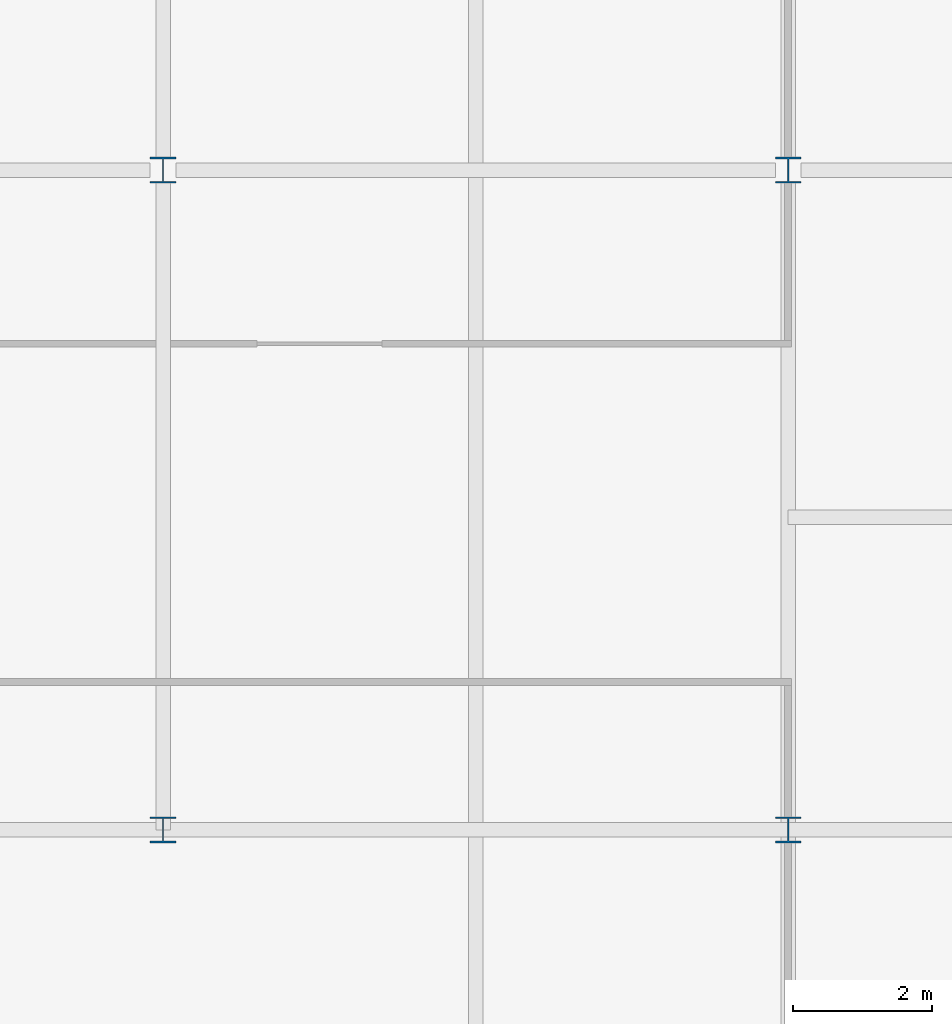
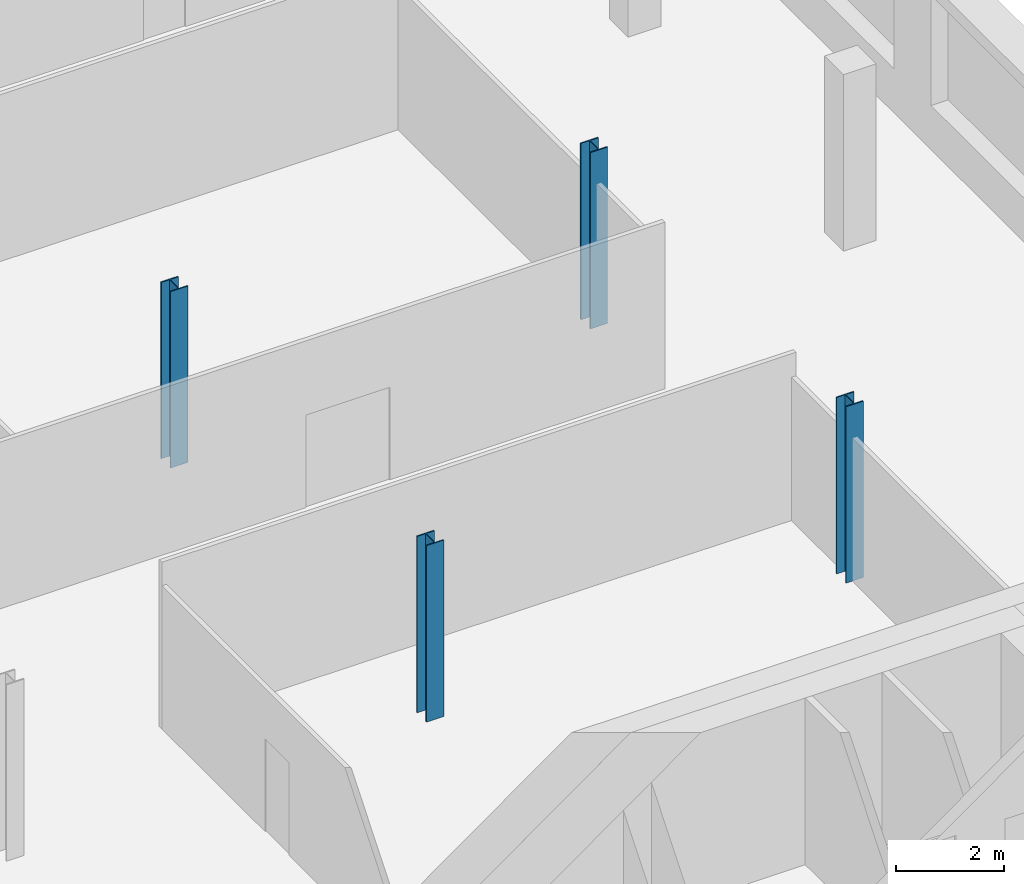
# One storey, part 2 of 15: 4 columns.
"""IFC4 building model written with IfcOpenShell, lengths in metres."""

from ifc_helpers import new_model, si_unit, direction, frame, origin, origin_2d, place, context, subcontext, project, spatial, i_section, extrude, material, material_profile, profile_set, type_object, element, save


model = new_model("IFC4")

# Units and contexts
model_context = context("Model", 3, precision=1e-05, world=origin(), true_north=direction((0.0, 1.0)))
body_context = subcontext(model_context, "Body", "Model", "MODEL_VIEW")
ifc_project = project(units=[si_unit("LENGTHUNIT", "METRE"), si_unit("AREAUNIT", "SQUARE_METRE"), si_unit("VOLUMEUNIT", "CUBIC_METRE"), si_unit("PLANEANGLEUNIT", "RADIAN"), si_unit("MASSUNIT", "GRAM", prefix="KILO")], contexts=[model_context])

# Site, building, storey
site_placement = place(None, origin())
site = spatial("IfcSite", under=ifc_project, at=site_placement, CompositionType="ELEMENT")
building_placement = place(site_placement, origin())
building = spatial("IfcBuilding", under=site, at=building_placement, Name="Zellij Exchange Tower", CompositionType="ELEMENT")
storey_placement = place(building_placement, frame((0.0, 0.0, 276.5)))
storey = spatial("IfcBuildingStorey", under=building, at=storey_placement, Name="L65", CompositionType="ELEMENT", Elevation=276.5)

# Columns
ifc_material = material(Name="Structural steel ASTM A992 Gr 50", Category="steel")
ifc_material_profile = material_profile(ifc_material, i_section(OverallWidth=0.373291015625, OverallDepth=0.373291015625, WebThickness=0.016357421875, FlangeThickness=0.026123046875, at=origin_2d()), Name="W14x132")
ifc_profile_set = profile_set([ifc_material_profile], Name="Structural steel ASTM A992 Gr 50")
column_type = type_object("IfcColumnType", Name="STR-COLUMN W14x132", PredefinedType="COLUMN", material=ifc_profile_set)
for number, where, z_axis, x_axis, name in (
    (1, (18.0, 4.5, 0.0), (0.0, 0.0, 1.0), (1.0, 0.0, 0.0), "C1"),
    (2, (27.0, 4.5, 0.0), (0.0, 0.0, 1.0), (1.0, 0.0, 0.0), "C1"),
    (3, (18.0, 14.0, 0.0), (0.0, 0.0, 1.0), (1.0, 0.0, 0.0), "C1"),
    (4, (27.0, 14.0, 0.0), (0.0, 0.0, 1.0), (1.0, 0.0, 0.0), "C1"),
):
    element("IfcColumn", number, at=place(storey_placement, frame(where, z_axis=z_axis, x_axis=x_axis)), inside=storey, type_object=column_type, Name=name, PredefinedType="COLUMN", context=body_context, shape_type="SweptSolid", body=[
        extrude(i_section(OverallWidth=0.373291015625, OverallDepth=0.373291015625, WebThickness=0.016357421875, FlangeThickness=0.026123046875, at=origin_2d()), origin(), (0.0, 0.0, 1.0), 4.0),
    ])

save(model, "model.ifc")
